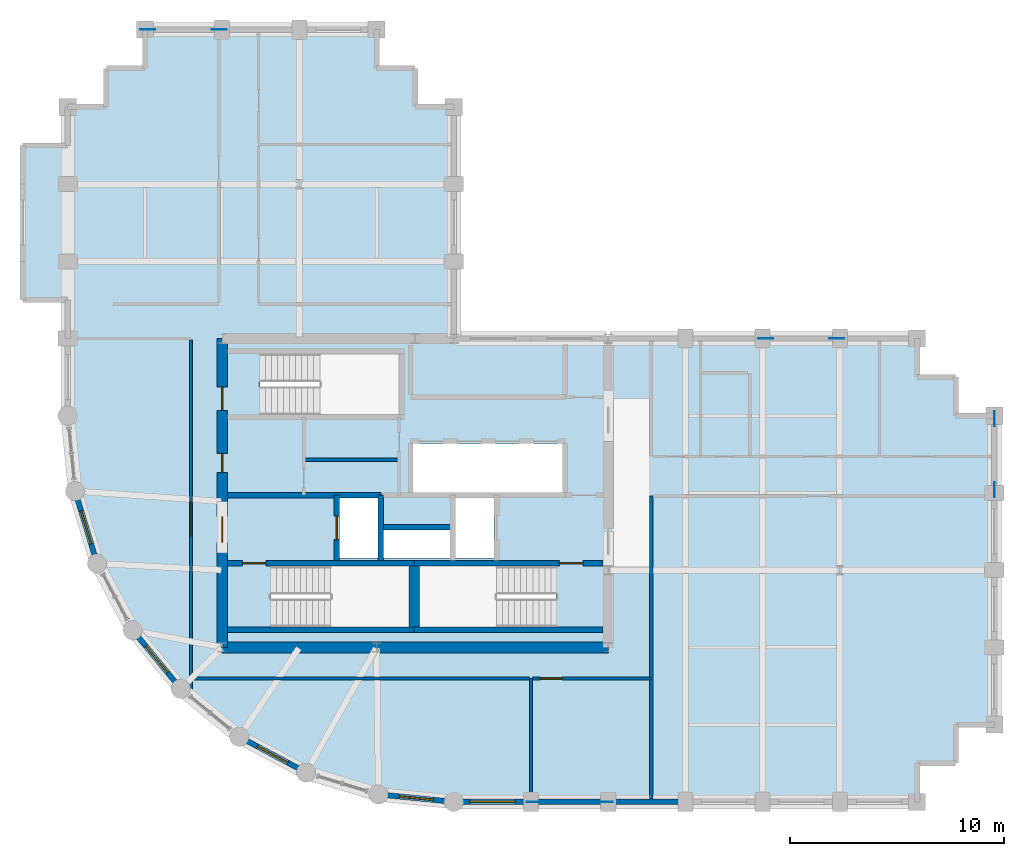
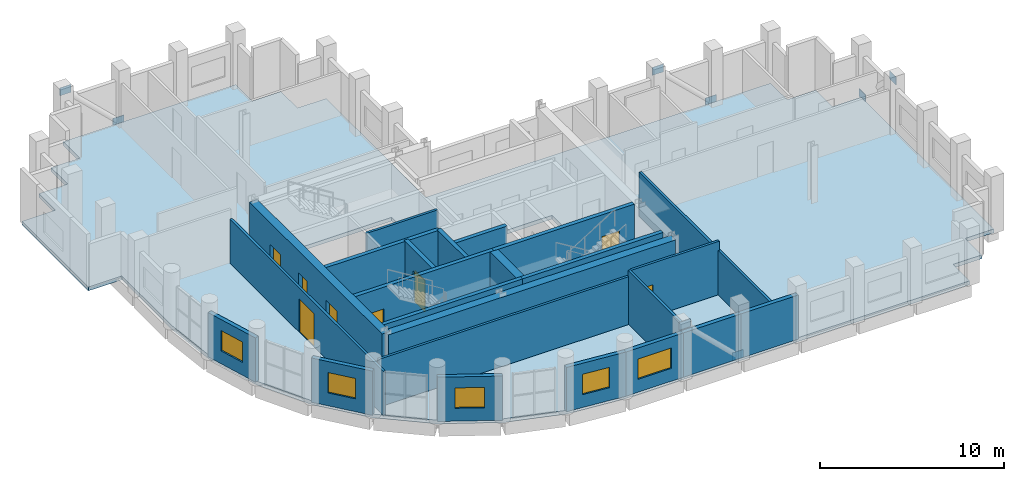
# One storey, part 8 of 12: 24 walls, 8 doors, 8 plates, 5 windows, 1 slab, 13 openings.
"""IFC4 building model written with IfcOpenShell, lengths in metres."""

from ifc_helpers import new_model, si_unit, direction, frame, frame_2d, origin, origin_2d, place, context, subcontext, project, spatial, polyline, rectangle, outline, extrude, material, layer, layer_set, type_object, element, fill, save


model = new_model("IFC4")

# Units and contexts
model_context = context("Model", 3, precision=1e-05, world=origin(), true_north=direction((0.0, 1.0)))
body_context = subcontext(model_context, "Body", "Model", "MODEL_VIEW")
ifc_project = project(units=[si_unit("LENGTHUNIT", "METRE"), si_unit("AREAUNIT", "SQUARE_METRE"), si_unit("VOLUMEUNIT", "CUBIC_METRE"), si_unit("PLANEANGLEUNIT", "RADIAN"), si_unit("MASSUNIT", "GRAM", prefix="KILO")], contexts=[model_context])

# Site, building, storey
site_placement = place(None, origin())
site = spatial("IfcSite", under=ifc_project, at=site_placement, CompositionType="ELEMENT")
building_placement = place(site_placement, origin())
building = spatial("IfcBuilding", under=site, at=building_placement, Name="Solnavia Interchange Tower", CompositionType="ELEMENT")
storey_placement = place(building_placement, frame((0.0, 0.0, 193.800048828125)))
storey = spatial("IfcBuildingStorey", under=building, at=storey_placement, Name="L48", CompositionType="ELEMENT", Elevation=193.800048828125)

# Plates
ifc_material_1 = material(Name="Steel S460", Category="steel")
ifc_layer_1 = layer(ifc_material_1, 0.030029296875)
ifc_layer_set_1 = layer_set([ifc_layer_1], Name="Steel S460")
plate_type = type_object("IfcPlateType", Name="Plate-Gusset-700x520x30", PredefinedType="USERDEFINED", material=ifc_layer_set_1)
for number, where, z_axis, x_axis, name in (
    (1, (32.260009765625, 3.60009765625, -0.080078125), (0.0, 0.0, 1.0), (-1.0, 0.0, 0.0), "PLT-L48-GP01 Perimeter brace gusset plate"),
    (2, (28.93994140625, 3.60009765625, 3.10986328125), (0.0, 0.0, 1.0), (-1.0, 0.0, 0.0), "PLT-L48-GP02 Perimeter brace gusset plate"),
    (3, (50.39990234375, 21.4599609375, -0.080078125), (0.0, 0.0, 1.0), (0.0, -1.0, 0.0), "PLT-L48-GP03 Perimeter brace gusset plate"),
    (4, (50.39990234375, 18.139892578125, 3.10986328125), (0.0, 0.0, 1.0), (0.0, -1.0, 0.0), "PLT-L48-GP04 Perimeter brace gusset plate"),
    (5, (14.260009765625, 39.60009765625, -0.080078125), (0.0, 0.0, 1.0), (-1.0, 0.0, 0.0), "PLT-L48-GP05 Perimeter brace gusset plate"),
    (6, (10.93994140625, 39.60009765625, 3.10986328125), (0.0, 0.0, 1.0), (-1.0, 0.0, 0.0), "PLT-L48-GP06 Perimeter brace gusset plate"),
    (7, (43.06005859375, 25.199951171875, -0.080078125), (0.0, 0.0, 1.0), (-1.0, 0.0, 0.0), "PLT-L48-GP07 Perimeter brace gusset plate"),
    (8, (39.739990234375, 25.199951171875, 3.10986328125), (0.0, 0.0, 1.0), (-1.0, 0.0, 0.0), "PLT-L48-GP08 Perimeter brace gusset plate"),
):
    element("IfcPlate", number, at=place(storey_placement, frame(where, z_axis=z_axis, x_axis=x_axis)), inside=storey, type_object=plate_type, Name=name, ObjectType="GUSSET PLATE", PredefinedType="USERDEFINED", context=body_context, shape_type="SweptSolid", body=[
        extrude(rectangle(XDim=0.699951171875, YDim=0.030029296875, at=origin_2d()), origin(), (0.0, 0.0, 1.0), 0.52001953125),
    ])

# Slab
ifc_material_2 = material(Name="Concrete C40/50", Category="concrete")
ifc_layer_2 = layer(ifc_material_2, 0.25)
ifc_layer_set_2 = layer_set([ifc_layer_2], Name="Concrete C40/50")
slab_type = type_object("IfcSlabType", Name="Slab-Tower-250", PredefinedType="FLOOR", material=ifc_layer_set_2)
slab_placement = place(storey_placement, frame((0.0, 0.0, -0.25)))
element("IfcSlab", 9, at=slab_placement, inside=storey, type_object=slab_type, Name="SLB-L48-01 Structural floor slab", PredefinedType="FLOOR", context=body_context, shape_type="SweptSolid", body=[
    extrude(outline(polyline([(25.199951171875, 3.60009765625), (46.800048828125, 3.60009765625), (46.800048828125, 5.39990234375), (48.60009765625, 5.39990234375), (48.60009765625, 7.199951171875), (50.39990234375, 7.199951171875), (50.39990234375, 21.60009765625), (48.60009765625, 21.60009765625), (48.60009765625, 23.39990234375), (46.800048828125, 23.39990234375), (46.800048828125, 25.199951171875), (25.199951171875, 25.199951171875), (25.199951171875, 36.0), (23.39990234375, 36.0), (23.39990234375, 37.800048828125), (21.60009765625, 37.800048828125), (21.60009765625, 39.60009765625), (10.800048828125, 39.60009765625), (10.800048828125, 37.800048828125), (9.0, 37.800048828125), (9.0, 36.0), (7.199951171875, 36.0), (7.199951171875, 34.199951171875), (5.10009765625, 34.199951171875), (5.10009765625, 27.0), (7.199951171875, 27.0), (7.199951171875, 21.60009765625), (7.5458984375, 18.087890625), (8.570068359375, 14.7119140625), (10.23388671875, 11.60009765625), (12.471923828125, 8.8720703125), (15.199951171875, 6.634033203125), (18.31201171875, 4.969970703125), (21.68798828125, 3.946044921875), (25.199951171875, 3.60009765625)]), holes=[polyline([(16.675048828125, 11.75), (23.10009765625, 11.75), (23.10009765625, 14.590087890625), (16.675048828125, 14.590087890625), (16.675048828125, 11.75)]), polyline([(23.60009765625, 11.75), (29.97509765625, 11.75), (29.97509765625, 14.590087890625), (23.60009765625, 14.590087890625), (23.60009765625, 11.75)]), polyline([(16.175048828125, 21.64990234375), (22.64990234375, 21.64990234375), (22.64990234375, 24.489990234375), (16.175048828125, 24.489990234375), (16.175048828125, 21.64990234375)]), polyline([(19.8798828125, 14.9599609375), (21.679931640625, 14.9599609375), (21.679931640625, 17.780029296875), (19.8798828125, 17.780029296875), (19.8798828125, 14.9599609375)]), polyline([(25.280029296875, 14.9599609375), (27.080078125, 14.9599609375), (27.080078125, 17.780029296875), (25.280029296875, 17.780029296875), (25.280029296875, 14.9599609375)]), polyline([(21.919921875, 14.9599609375), (25.02001953125, 14.9599609375), (25.02001953125, 16.280029296875), (21.919921875, 16.280029296875), (21.919921875, 14.9599609375)]), polyline([(23.300048828125, 18.02001953125), (30.280029296875, 18.02001953125), (30.280029296875, 20.300048828125), (23.300048828125, 20.300048828125), (23.300048828125, 18.02001953125)])]), origin(), (0.0, 0.0, 1.0), 0.25),
])

# Wall, opening, window
ifc_layer_3 = layer(ifc_material_2, 0.25)
ifc_layer_set_3 = layer_set([ifc_layer_3], Name="Concrete C40/50")
wall_type_1 = type_object("IfcWallType", Name="Wall-ExtSpandrel-250", PredefinedType="STANDARD", material=ifc_layer_set_3)
wall_1_placement = place(storey_placement, frame((28.800048828125, 3.60009765625, 0.0), z_axis=(0.0, 0.0, 1.0), x_axis=(-1.0, 0.0, 0.0)))
wall_1 = element("IfcWall", 10, at=wall_1_placement, inside=storey, type_object=wall_type_1, Name="EXW-L48-01 Exterior precast spandrel wall", PredefinedType="STANDARD", context=body_context, shape_type="SweptSolid", body=[
    extrude(rectangle(XDim=3.60009765625, YDim=0.25, at=frame_2d((1.800048828125, 0.0))), origin(), (0.0, 0.0, 1.0), 2.929931640625),
])
opening_1_placement = place(wall_1_placement, frame((0.75, 0.0, 0.85009765625)))
opening_1 = element("IfcOpeningElement", 11, at=opening_1_placement, cuts=wall_1, Name="Opening WIN-01", PredefinedType="OPENING", context=body_context, shape_type="SweptSolid", body=[
    extrude(rectangle(XDim=2.10009765625, YDim=1.35009765625, at=frame_2d((1.050048828125, 0.675048828125))), frame((0.0, 0.135009765625, 0.0), z_axis=(0.0, -1.0, 0.0), x_axis=(1.0, 0.0, 0.0)), (0.0, 0.0, 1.0), 0.27001953125),
])
ifc_material_3 = material(Name="Thermal-Break Aluminium & Low-E Glass", Category="aluminium")
window_type_1 = type_object("IfcWindowType", Name="Window-Ribbon-2100x1350", PartitioningType="SINGLE_PANEL", PredefinedType="WINDOW", material=ifc_material_3)
window_1_placement = place(opening_1_placement, origin())
window_1 = element("IfcWindow", 12, at=window_1_placement, inside=storey, type_object=window_type_1, Name="WIN-L48-01 Facade ribbon window", OverallHeight=1.35009765625, OverallWidth=2.10009765625, PartitioningType="SINGLE_PANEL", PredefinedType="WINDOW", context=body_context, shape_type="SweptSolid", body=[
    extrude(rectangle(XDim=2.10009765625, YDim=1.35009765625, at=frame_2d((1.050048828125, 0.675048828125))), frame((0.0, 0.030029296875, 0.0), z_axis=(0.0, -1.0, 0.0), x_axis=(1.0, 0.0, 0.0)), (0.0, 0.0, 1.0), 0.06005859375),
])
fill(opening_1, window_1)

# Walls
wall_2_placement = place(storey_placement, frame((32.39990234375, 3.60009765625, 0.0), z_axis=(0.0, 0.0, 1.0), x_axis=(-1.0, 0.0, 0.0)))
element("IfcWall", 13, at=wall_2_placement, inside=storey, type_object=wall_type_1, Name="EXW-L48-02 Exterior precast spandrel wall", PredefinedType="STANDARD", context=body_context, shape_type="SweptSolid", body=[
    extrude(rectangle(XDim=3.599853515625, YDim=0.25, at=frame_2d((1.7998046875, 0.0))), origin(), (0.0, 0.0, 1.0), 2.929931640625),
])
wall_3_placement = place(storey_placement, frame((36.0, 3.60009765625, 0.0), z_axis=(0.0, 0.0, 1.0), x_axis=(-1.0, 0.0, 0.0)))
element("IfcWall", 14, at=wall_3_placement, inside=storey, type_object=wall_type_1, Name="EXW-L48-03 Exterior precast spandrel wall", PredefinedType="STANDARD", context=body_context, shape_type="SweptSolid", body=[
    extrude(rectangle(XDim=3.60009765625, YDim=0.25, at=frame_2d((1.800048828125, 0.0))), origin(), (0.0, 0.0, 1.0), 2.929931640625),
])

# Wall, opening, window
wall_4_placement = place(storey_placement, frame((8.570068359375, 14.7119140625, 0.0), z_axis=(0.0, 0.0, 1.0), x_axis=(-0.290305086481, 0.956934144423, 0.0)))
wall_4 = element("IfcWall", 15, at=wall_4_placement, inside=storey, type_object=wall_type_1, Name="EXW-L48-48 Exterior precast spandrel wall", PredefinedType="STANDARD", context=body_context, shape_type="SweptSolid", body=[
    extrude(rectangle(XDim=3.52783203125, YDim=0.25, at=frame_2d((1.763916015625, 0.0))), origin(), (0.0, 0.0, 1.0), 2.929931640625),
])
opening_2_placement = place(wall_4_placement, frame((0.964111328125, 0.0, 0.85009765625)))
opening_2 = element("IfcOpeningElement", 16, at=opening_2_placement, cuts=wall_4, Name="Opening WIN-04", PredefinedType="OPENING", context=body_context, shape_type="SweptSolid", body=[
    extrude(rectangle(XDim=1.60009765625, YDim=1.35009765625, at=frame_2d((0.800048828125, 0.675048828125))), frame((0.0, 0.135009765625, 0.0), z_axis=(0.0, -1.0, 0.0), x_axis=(1.0, 0.0, 0.0)), (0.0, 0.0, 1.0), 0.27001953125),
])
window_type_2 = type_object("IfcWindowType", Name="Window-Drum-1600x1350", PartitioningType="SINGLE_PANEL", PredefinedType="WINDOW", material=ifc_material_3)
window_2_placement = place(opening_2_placement, origin())
window_2 = element("IfcWindow", 17, at=window_2_placement, inside=storey, type_object=window_type_2, Name="WIN-L48-48 Facade ribbon window", OverallHeight=1.35009765625, OverallWidth=1.60009765625, PartitioningType="SINGLE_PANEL", PredefinedType="WINDOW", context=body_context, shape_type="SweptSolid", body=[
    extrude(rectangle(XDim=1.60009765625, YDim=1.35009765625, at=frame_2d((0.800048828125, 0.675048828125))), frame((0.0, 0.030029296875, 0.0), z_axis=(0.0, -1.0, 0.0), x_axis=(1.0, 0.0, 0.0)), (0.0, 0.0, 1.0), 0.06005859375),
])
fill(opening_2, window_2)

wall_5_placement = place(storey_placement, frame((12.471923828125, 8.8720703125, 0.0), z_axis=(0.0, 0.0, 1.0), x_axis=(-0.634258295121, 0.773121216285, 0.0)))
wall_5 = element("IfcWall", 18, at=wall_5_placement, inside=storey, type_object=wall_type_1, Name="EXW-L48-50 Exterior precast spandrel wall", PredefinedType="STANDARD", context=body_context, shape_type="SweptSolid", body=[
    extrude(rectangle(XDim=3.528564453125, YDim=0.25, at=frame_2d((1.76416015625, 0.0))), origin(), (0.0, 0.0, 1.0), 2.929931640625),
])
opening_3_placement = place(wall_5_placement, frame((0.964111328125, 0.0, 0.85009765625)))
opening_3 = element("IfcOpeningElement", 19, at=opening_3_placement, cuts=wall_5, Name="Opening WIN-04", PredefinedType="OPENING", context=body_context, shape_type="SweptSolid", body=[
    extrude(rectangle(XDim=1.60009765625, YDim=1.35009765625, at=frame_2d((0.800048828125, 0.675048828125))), frame((0.0, 0.135009765625, 0.0), z_axis=(0.0, -1.0, 0.0), x_axis=(1.0, 0.0, 0.0)), (0.0, 0.0, 1.0), 0.27001953125),
])
window_3_placement = place(opening_3_placement, origin())
window_3 = element("IfcWindow", 20, at=window_3_placement, inside=storey, type_object=window_type_2, Name="WIN-L48-50 Facade ribbon window", OverallHeight=1.35009765625, OverallWidth=1.60009765625, PartitioningType="SINGLE_PANEL", PredefinedType="WINDOW", context=body_context, shape_type="SweptSolid", body=[
    extrude(rectangle(XDim=1.60009765625, YDim=1.35009765625, at=frame_2d((0.800048828125, 0.675048828125))), frame((0.0, 0.030029296875, 0.0), z_axis=(0.0, -1.0, 0.0), x_axis=(1.0, 0.0, 0.0)), (0.0, 0.0, 1.0), 0.06005859375),
])
fill(opening_3, window_3)

wall_6_placement = place(storey_placement, frame((18.31201171875, 4.969970703125, 0.0), z_axis=(0.0, 0.0, 1.0), x_axis=(-0.881846862014, 0.471535907389, 0.0)))
wall_6 = element("IfcWall", 21, at=wall_6_placement, inside=storey, type_object=wall_type_1, Name="EXW-L48-52 Exterior precast spandrel wall", PredefinedType="STANDARD", context=body_context, shape_type="SweptSolid", body=[
    extrude(rectangle(XDim=3.529052734375, YDim=0.25, at=frame_2d((1.7646484375, 0.0))), origin(), (0.0, 0.0, 1.0), 2.929931640625),
])
opening_4_placement = place(wall_6_placement, frame((0.964111328125, 0.0, 0.85009765625)))
opening_4 = element("IfcOpeningElement", 22, at=opening_4_placement, cuts=wall_6, Name="Opening WIN-04", PredefinedType="OPENING", context=body_context, shape_type="SweptSolid", body=[
    extrude(rectangle(XDim=1.60009765625, YDim=1.35009765625, at=frame_2d((0.800048828125, 0.675048828125))), frame((0.0, 0.135009765625, 0.0), z_axis=(0.0, -1.0, 0.0), x_axis=(1.0, 0.0, 0.0)), (0.0, 0.0, 1.0), 0.27001953125),
])
window_4_placement = place(opening_4_placement, origin())
window_4 = element("IfcWindow", 23, at=window_4_placement, inside=storey, type_object=window_type_2, Name="WIN-L48-52 Facade ribbon window", OverallHeight=1.35009765625, OverallWidth=1.60009765625, PartitioningType="SINGLE_PANEL", PredefinedType="WINDOW", context=body_context, shape_type="SweptSolid", body=[
    extrude(rectangle(XDim=1.60009765625, YDim=1.35009765625, at=frame_2d((0.800048828125, 0.675048828125))), frame((0.0, 0.030029296875, 0.0), z_axis=(0.0, -1.0, 0.0), x_axis=(1.0, 0.0, 0.0)), (0.0, 0.0, 1.0), 0.06005859375),
])
fill(opening_4, window_4)

wall_7_placement = place(storey_placement, frame((25.199951171875, 3.60009765625, 0.0), z_axis=(0.0, 0.0, 1.0), x_axis=(-0.995183369056, 0.098030923459, 0.0)))
wall_7 = element("IfcWall", 24, at=wall_7_placement, inside=storey, type_object=wall_type_1, Name="EXW-L48-54 Exterior precast spandrel wall", PredefinedType="STANDARD", context=body_context, shape_type="SweptSolid", body=[
    extrude(rectangle(XDim=3.529052734375, YDim=0.25, at=frame_2d((1.7646484375, 0.0))), origin(), (0.0, 0.0, 1.0), 2.929931640625),
])
opening_5_placement = place(wall_7_placement, frame((0.965087890625, 0.0, 0.85009765625)))
opening_5 = element("IfcOpeningElement", 25, at=opening_5_placement, cuts=wall_7, Name="Opening WIN-04", PredefinedType="OPENING", context=body_context, shape_type="SweptSolid", body=[
    extrude(rectangle(XDim=1.60009765625, YDim=1.35009765625, at=frame_2d((0.800048828125, 0.675048828125))), frame((0.0, 0.135009765625, 0.0), z_axis=(0.0, -1.0, 0.0), x_axis=(1.0, 0.0, 0.0)), (0.0, 0.0, 1.0), 0.27001953125),
])
window_5_placement = place(opening_5_placement, origin())
window_5 = element("IfcWindow", 26, at=window_5_placement, inside=storey, type_object=window_type_2, Name="WIN-L48-54 Facade ribbon window", OverallHeight=1.35009765625, OverallWidth=1.60009765625, PartitioningType="SINGLE_PANEL", PredefinedType="WINDOW", context=body_context, shape_type="SweptSolid", body=[
    extrude(rectangle(XDim=1.60009765625, YDim=1.35009765625, at=frame_2d((0.800048828125, 0.675048828125))), frame((0.0, 0.030029296875, 0.0), z_axis=(0.0, -1.0, 0.0), x_axis=(1.0, 0.0, 0.0)), (0.0, 0.0, 1.0), 0.06005859375),
])
fill(opening_5, window_5)

# Walls
ifc_material_4 = material(Name="Gypsum Plasterboard & Steel Stud", Category="steel")
ifc_layer_4 = layer(ifc_material_4, 0.14990234375)
ifc_layer_set_4 = layer_set([ifc_layer_4], Name="Gypsum Plasterboard & Steel Stud")
wall_type_2 = type_object("IfcWallType", Name="Wall-Partition-150", PredefinedType="PARTITIONING", material=ifc_layer_set_4)
wall_8_placement = place(storey_placement, frame((18.199951171875, 19.550048828125, 0.0), z_axis=(0.0, 0.0, 1.0), x_axis=(1.0, 0.0, 0.0)))
element("IfcWall", 27, at=wall_8_placement, inside=storey, type_object=wall_type_2, Name="CSW-L48-H1 Core shaft wall", PredefinedType="PARTITIONING", context=body_context, shape_type="SweptSolid", body=[
    extrude(rectangle(XDim=4.449951171875, YDim=0.14990234375, at=frame_2d((2.22509765625, 0.0))), origin(), (0.0, 0.0, 1.0), 3.534912109375),
])
wall_9_placement = place(storey_placement, frame((28.800048828125, 9.35009765625, 0.0), z_axis=(0.0, 0.0, 1.0), x_axis=(0.0, -1.0, 0.0)))
element("IfcWall", 28, at=wall_9_placement, inside=storey, type_object=wall_type_2, Name="PTW-L48-08 Interior partition wall", PredefinedType="PARTITIONING", context=body_context, shape_type="SweptSolid", body=[
    extrude(rectangle(XDim=5.62109375, YDim=0.14990234375, at=frame_2d((2.810546875, 0.0))), origin(), (0.0, 0.0, 1.0), 3.534912109375),
])

# Wall, opening, door
wall_10_placement = place(storey_placement, frame((12.949951171875, 8.47998046875, 0.0), z_axis=(0.0, 0.0, 1.0), x_axis=(0.0, 1.0, 0.0)))
wall_10 = element("IfcWall", 29, at=wall_10_placement, inside=storey, type_object=wall_type_2, Name="PTW-L48-09 Interior partition wall", PredefinedType="PARTITIONING", context=body_context, shape_type="SweptSolid", body=[
    extrude(rectangle(XDim=16.64111328125, YDim=0.14990234375, at=frame_2d((8.320556640625, 0.0))), origin(), (0.0, 0.0, 1.0), 2.929931640625),
])
opening_6_placement = place(wall_10_placement, frame((7.52001953125, 0.0, 0.0)))
opening_6 = element("IfcOpeningElement", 30, at=opening_6_placement, cuts=wall_10, Name="Opening DR-08", PredefinedType="OPENING", context=body_context, shape_type="SweptSolid", body=[
    extrude(rectangle(XDim=1.60009765625, YDim=2.199951171875, at=frame_2d((0.800048828125, 1.10009765625))), frame((0.0, 0.0849609375, 0.0), z_axis=(0.0, -1.0, 0.0), x_axis=(1.0, 0.0, 0.0)), (0.0, 0.0, 1.0), 0.169921875),
])
ifc_material_5 = material(Name="Thermally Broken Aluminium & Toughened Glass", Category="aluminium")
door_type_1 = type_object("IfcDoorType", Name="Door-RetailDouble-1600x2200", OperationType="DOUBLE_DOOR_SINGLE_SWING", PredefinedType="DOOR", material=ifc_material_5)
door_1_placement = place(opening_6_placement, origin())
door_1 = element("IfcDoor", 31, at=door_1_placement, inside=storey, type_object=door_type_1, Name="DR-L48-03 Interior room door", OperationType="DOUBLE_DOOR_SINGLE_SWING", OverallHeight=2.199951171875, OverallWidth=1.60009765625, PredefinedType="DOOR", context=body_context, shape_type="SweptSolid", body=[
    extrude(rectangle(XDim=1.60009765625, YDim=2.199951171875, at=frame_2d((0.800048828125, 1.10009765625))), frame((0.0, 0.02490234375, 0.0), z_axis=(0.0, -1.0, 0.0), x_axis=(1.0, 0.0, 0.0)), (0.0, 0.0, 1.0), 0.050048828125),
])
fill(opening_6, door_1)

# Wall
wall_11_placement = place(storey_placement, frame((13.080078125, 9.35009765625, 0.0), z_axis=(0.0, 0.0, 1.0), x_axis=(1.0, 0.0, 0.0)))
element("IfcWall", 32, at=wall_11_placement, inside=storey, type_object=wall_type_2, Name="PTW-L48-10 Interior partition wall", PredefinedType="PARTITIONING", context=body_context, shape_type="SweptSolid", body=[
    extrude(rectangle(XDim=15.640869140625, YDim=0.14990234375, at=frame_2d((7.8203125, 0.0))), origin(), (0.0, 0.0, 1.0), 3.169921875),
])

# Wall, opening, door
wall_12_placement = place(storey_placement, frame((28.87890625, 9.35009765625, 0.0), z_axis=(0.0, 0.0, 1.0), x_axis=(1.0, 0.0, 0.0)))
wall_12 = element("IfcWall", 33, at=wall_12_placement, inside=storey, type_object=wall_type_2, Name="PTW-L48-11 Interior partition wall", PredefinedType="PARTITIONING", context=body_context, shape_type="SweptSolid", body=[
    extrude(rectangle(XDim=5.52099609375, YDim=0.14990234375, at=frame_2d((2.760498046875, 0.0))), origin(), (0.0, 0.0, 1.0), 3.534912109375),
])
opening_7_placement = place(wall_12_placement, frame((0.360107421875, 0.0, 0.0)))
opening_7 = element("IfcOpeningElement", 34, at=opening_7_placement, cuts=wall_12, Name="Opening DR-07", PredefinedType="OPENING", context=body_context, shape_type="SweptSolid", body=[
    extrude(rectangle(XDim=1.0, YDim=2.10009765625, at=frame_2d((0.5, 1.050048828125))), frame((0.0, 0.0849609375, 0.0), z_axis=(0.0, -1.0, 0.0), x_axis=(1.0, 0.0, 0.0)), (0.0, 0.0, 1.0), 0.169921875),
])
ifc_material_6 = material(Name="Timber & Acoustic Glazed Office Door", Category="wood")
door_type_2 = type_object("IfcDoorType", Name="Door-Office-1000x2100", OperationType="SINGLE_SWING_RIGHT", PredefinedType="DOOR", material=ifc_material_6)
door_2_placement = place(opening_7_placement, origin())
door_2 = element("IfcDoor", 35, at=door_2_placement, inside=storey, type_object=door_type_2, Name="DR-L48-04 Interior room door", OperationType="SINGLE_SWING_LEFT", OverallHeight=2.10009765625, OverallWidth=1.0, PredefinedType="DOOR", context=body_context, shape_type="SweptSolid", body=[
    extrude(rectangle(XDim=1.0, YDim=2.10009765625, at=frame_2d((0.5, 1.050048828125))), frame((0.0, 0.02490234375, 0.0), z_axis=(0.0, -1.0, 0.0), x_axis=(1.0, 0.0, 0.0)), (0.0, 0.0, 1.0), 0.050048828125),
])
fill(opening_7, door_2)

# Walls
wall_13_placement = place(storey_placement, frame((34.39990234375, 3.72900390625, 0.0), z_axis=(0.0, 0.0, 1.0), x_axis=(0.0, 1.0, 0.0)))
element("IfcWall", 36, at=wall_13_placement, inside=storey, type_object=wall_type_2, Name="PTW-L48-12 Interior partition wall", PredefinedType="PARTITIONING", context=body_context, shape_type="SweptSolid", body=[
    extrude(rectangle(XDim=14.12109375, YDim=0.14990234375, at=frame_2d((7.060546875, 0.0))), origin(), (0.0, 0.0, 1.0), 2.929931640625),
])
ifc_layer_5 = layer(ifc_material_2, 0.25)
ifc_layer_set_5 = layer_set([ifc_layer_5], Name="Concrete C40/50")
wall_type_3 = type_object("IfcWallType", Name="Wall-ShaftCore-250", PredefinedType="SHEAR", material=ifc_layer_set_5)
wall_14_placement = place(storey_placement, frame((14.64990234375, 11.625, 0.0), z_axis=(0.0, 0.0, 1.0), x_axis=(1.0, 0.0, 0.0)))
element("IfcWall", 37, at=wall_14_placement, inside=storey, type_object=wall_type_3, Name="SHW-L48-ST1S Core shear wall", PredefinedType="SHEAR", context=body_context, shape_type="SweptSolid", body=[
    extrude(rectangle(XDim=8.7001953125, YDim=0.25, at=frame_2d((4.35009765625, 0.0))), origin(), (0.0, 0.0, 1.0), 3.550048828125),
])

# Wall, opening, door
wall_15_placement = place(storey_placement, frame((14.64990234375, 14.715087890625, 0.0), z_axis=(0.0, 0.0, 1.0), x_axis=(1.0, 0.0, 0.0)))
wall_15 = element("IfcWall", 38, at=wall_15_placement, inside=storey, type_object=wall_type_3, Name="SHW-L48-ST1N Core shear wall", PredefinedType="SHEAR", context=body_context, shape_type="SweptSolid", body=[
    extrude(rectangle(XDim=8.7001953125, YDim=0.25, at=frame_2d((4.35009765625, 0.0))), origin(), (0.0, 0.0, 1.0), 3.550048828125),
])
opening_8_placement = place(wall_15_placement, frame((0.705078125, 0.0, 0.0)))
opening_8 = element("IfcOpeningElement", 39, at=opening_8_placement, cuts=wall_15, Name="Opening DR-01", PredefinedType="OPENING", context=body_context, shape_type="SweptSolid", body=[
    extrude(rectangle(XDim=1.10009765625, YDim=2.10009765625, at=frame_2d((0.550048828125, 1.050048828125))), frame((0.0, 0.135009765625, 0.0), z_axis=(0.0, -1.0, 0.0), x_axis=(1.0, 0.0, 0.0)), (0.0, 0.0, 1.0), 0.27001953125),
])
ifc_material_7 = material(Name="Steel Fire-Rated Leaf & Frame", Category="steel")
door_type_3 = type_object("IfcDoorType", Name="Door-StairFire-1100x2100", OperationType="SINGLE_SWING_LEFT", PredefinedType="DOOR", material=ifc_material_7)
door_3_placement = place(opening_8_placement, origin())
door_3 = element("IfcDoor", 40, at=door_3_placement, inside=storey, type_object=door_type_3, Name="DR-L48-ST1 Core fire door", OperationType="SINGLE_SWING_LEFT", OverallHeight=2.10009765625, OverallWidth=1.10009765625, PredefinedType="DOOR", context=body_context, shape_type="SweptSolid", body=[
    extrude(rectangle(XDim=1.10009765625, YDim=2.10009765625, at=frame_2d((0.550048828125, 1.050048828125))), frame((0.0, 0.02490234375, 0.0), z_axis=(0.0, -1.0, 0.0), x_axis=(1.0, 0.0, 0.0)), (0.0, 0.0, 1.0), 0.050048828125),
])
fill(opening_8, door_3)

# Wall
wall_16_placement = place(storey_placement, frame((23.35009765625, 11.625, 0.0), z_axis=(0.0, 0.0, 1.0), x_axis=(1.0, 0.0, 0.0)))
element("IfcWall", 41, at=wall_16_placement, inside=storey, type_object=wall_type_3, Name="SHW-L48-ST2S Core shear wall", PredefinedType="SHEAR", context=body_context, shape_type="SweptSolid", body=[
    extrude(rectangle(XDim=8.7998046875, YDim=0.25, at=frame_2d((4.39990234375, 0.0))), origin(), (0.0, 0.0, 1.0), 3.550048828125),
])

# Wall, opening, door
wall_17_placement = place(storey_placement, frame((23.35009765625, 14.715087890625, 0.0), z_axis=(0.0, 0.0, 1.0), x_axis=(1.0, 0.0, 0.0)))
wall_17 = element("IfcWall", 42, at=wall_17_placement, inside=storey, type_object=wall_type_3, Name="SHW-L48-ST2N Core shear wall", PredefinedType="SHEAR", context=body_context, shape_type="SweptSolid", body=[
    extrude(rectangle(XDim=8.7998046875, YDim=0.25, at=frame_2d((4.39990234375, 0.0))), origin(), (0.0, 0.0, 1.0), 3.550048828125),
])
opening_9_placement = place(wall_17_placement, frame((6.77490234375, 0.0, 0.0)))
opening_9 = element("IfcOpeningElement", 43, at=opening_9_placement, cuts=wall_17, Name="Opening DR-01", PredefinedType="OPENING", context=body_context, shape_type="SweptSolid", body=[
    extrude(rectangle(XDim=1.10009765625, YDim=2.10009765625, at=frame_2d((0.550048828125, 1.050048828125))), frame((0.0, 0.135009765625, 0.0), z_axis=(0.0, -1.0, 0.0), x_axis=(1.0, 0.0, 0.0)), (0.0, 0.0, 1.0), 0.27001953125),
])
door_4_placement = place(opening_9_placement, origin())
door_4 = element("IfcDoor", 44, at=door_4_placement, inside=storey, type_object=door_type_3, Name="DR-L48-ST2 Core fire door", OperationType="SINGLE_SWING_LEFT", OverallHeight=2.10009765625, OverallWidth=1.10009765625, PredefinedType="DOOR", context=body_context, shape_type="SweptSolid", body=[
    extrude(rectangle(XDim=1.10009765625, YDim=2.10009765625, at=frame_2d((0.550048828125, 1.050048828125))), frame((0.0, 0.02490234375, 0.0), z_axis=(0.0, -1.0, 0.0), x_axis=(1.0, 0.0, 0.0)), (0.0, 0.0, 1.0), 0.050048828125),
])
fill(opening_9, door_4)

# Wall
ifc_layer_6 = layer(ifc_material_2, 0.25)
ifc_layer_set_6 = layer_set([ifc_layer_6], Name="Concrete C40/50")
wall_type_4 = type_object("IfcWallType", Name="Wall-ShaftPart-250", PredefinedType="PARTITIONING", material=ifc_layer_set_6)
wall_18_placement = place(storey_placement, frame((14.64990234375, 17.89990234375, 0.0), z_axis=(0.0, 0.0, 1.0), x_axis=(1.0, 0.0, 0.0)))
element("IfcWall", 45, at=wall_18_placement, inside=storey, type_object=wall_type_4, Name="SHW-L48-FFLW-N Core shaft wall", PredefinedType="PARTITIONING", context=body_context, shape_type="SweptSolid", body=[
    extrude(rectangle(XDim=7.150146484375, YDim=0.25, at=frame_2d((3.5751953125, 0.0))), origin(), (0.0, 0.0, 1.0), 3.534912109375),
])

# Wall, opening, door
wall_19_placement = place(storey_placement, frame((19.75, 14.840087890625, 0.0), z_axis=(0.0, 0.0, 1.0), x_axis=(0.0, 1.0, 0.0)))
wall_19 = element("IfcWall", 46, at=wall_19_placement, inside=storey, type_object=wall_type_4, Name="SHW-L48-FFL1-W Core shaft wall", PredefinedType="PARTITIONING", context=body_context, shape_type="SweptSolid", body=[
    extrude(rectangle(XDim=3.059814453125, YDim=0.25, at=frame_2d((1.52978515625, 0.0))), origin(), (0.0, 0.0, 1.0), 3.534912109375),
])
opening_10_placement = place(wall_19_placement, frame((0.97998046875, 0.0, 0.0)))
opening_10 = element("IfcOpeningElement", 47, at=opening_10_placement, cuts=wall_19, Name="Opening LD-01", PredefinedType="OPENING", context=body_context, shape_type="SweptSolid", body=[
    extrude(rectangle(XDim=1.10009765625, YDim=2.10009765625, at=frame_2d((0.550048828125, 1.050048828125))), frame((0.0, 0.135009765625, 0.0), z_axis=(0.0, -1.0, 0.0), x_axis=(1.0, 0.0, 0.0)), (0.0, 0.0, 1.0), 0.27001953125),
])
ifc_material_8 = material(Name="Brushed Stainless Steel Sliding Door", Category="steel")
door_type_4 = type_object("IfcDoorType", Name="Door-LiftLanding-1100x2100", OperationType="SLIDING_TO_LEFT", PredefinedType="DOOR", material=ifc_material_8)
door_5_placement = place(opening_10_placement, origin())
door_5 = element("IfcDoor", 48, at=door_5_placement, inside=storey, type_object=door_type_4, Name="LD-L48-FFL1 Lift landing sliding door", OperationType="SLIDING_TO_LEFT", OverallHeight=2.10009765625, OverallWidth=1.10009765625, PredefinedType="DOOR", context=body_context, shape_type="SweptSolid", body=[
    extrude(rectangle(XDim=1.10009765625, YDim=2.10009765625, at=frame_2d((0.550048828125, 1.050048828125))), frame((0.0, 0.02490234375, 0.0), z_axis=(0.0, -1.0, 0.0), x_axis=(1.0, 0.0, 0.0)), (0.0, 0.0, 1.0), 0.050048828125),
])
fill(opening_10, door_5)

# Walls
wall_20_placement = place(storey_placement, frame((21.800048828125, 14.840087890625, 0.0), z_axis=(0.0, 0.0, 1.0), x_axis=(0.0, 1.0, 0.0)))
element("IfcWall", 49, at=wall_20_placement, inside=storey, type_object=wall_type_4, Name="SHW-L48-FFL1-E Core shaft wall", PredefinedType="PARTITIONING", context=body_context, shape_type="SweptSolid", body=[
    extrude(rectangle(XDim=3.059814453125, YDim=0.25, at=frame_2d((1.52978515625, 0.0))), origin(), (0.0, 0.0, 1.0), 3.534912109375),
])
wall_21_placement = place(storey_placement, frame((21.800048828125, 16.39990234375, 0.0), z_axis=(0.0, 0.0, 1.0), x_axis=(1.0, 0.0, 0.0)))
element("IfcWall", 50, at=wall_21_placement, inside=storey, type_object=wall_type_4, Name="SHW-L48-MEP-N Core shaft wall", PredefinedType="PARTITIONING", context=body_context, shape_type="SweptSolid", body=[
    extrude(rectangle(XDim=3.349853515625, YDim=0.25, at=frame_2d((1.6748046875, 0.0))), origin(), (0.0, 0.0, 1.0), 3.534912109375),
])
ifc_material_9 = material(Name="Concrete C60/75", Category="concrete")
ifc_layer_7 = layer(ifc_material_9, 0.5)
ifc_layer_set_7 = layer_set([ifc_layer_7], Name="Concrete C60/75")
wall_type_5 = type_object("IfcWallType", Name="Wall-ShearCore-500", PredefinedType="SHEAR", material=ifc_layer_set_7)
wall_22_placement = place(storey_placement, frame((14.39990234375, 10.800048828125, 0.0), z_axis=(0.0, 0.0, 1.0), x_axis=(1.0, 0.0, 0.0)))
element("IfcWall", 51, at=wall_22_placement, inside=storey, type_object=wall_type_5, Name="CRW-L48-S Core shear wall", PredefinedType="SHEAR", context=body_context, shape_type="SweptSolid", body=[
    extrude(rectangle(XDim=18.0, YDim=0.5, at=frame_2d((9.0, 0.0))), origin(), (0.0, 0.0, 1.0), 3.550048828125),
])

# Wall, openings, doors
wall_23_placement = place(storey_placement, frame((14.39990234375, 10.800048828125, 0.0), z_axis=(0.0, 0.0, 1.0), x_axis=(0.0, 1.0, 0.0)))
wall_23 = element("IfcWall", 52, at=wall_23_placement, inside=storey, type_object=wall_type_5, Name="CRW-L48-W Core shear wall", PredefinedType="SHEAR", context=body_context, shape_type="SweptSolid", body=[
    extrude(rectangle(XDim=14.39990234375, YDim=0.5, at=frame_2d((7.199951171875, 0.0))), origin(), (0.0, 0.0, 1.0), 3.550048828125),
])
opening_11_placement = place(wall_23_placement, frame((11.050048828125, 0.0, 0.0)))
opening_11 = element("IfcOpeningElement", 53, at=opening_11_placement, cuts=wall_23, Name="Opening DR-01", PredefinedType="OPENING", context=body_context, shape_type="SweptSolid", body=[
    extrude(rectangle(XDim=1.10009765625, YDim=2.10009765625, at=frame_2d((0.550048828125, 1.050048828125))), frame((0.0, 0.260009765625, 0.0), z_axis=(0.0, -1.0, 0.0), x_axis=(1.0, 0.0, 0.0)), (0.0, 0.0, 1.0), 0.52001953125),
])
opening_12_placement = place(wall_23_placement, frame((4.89990234375, 0.0, 0.0)))
opening_12 = element("IfcOpeningElement", 54, at=opening_12_placement, cuts=wall_23, Name="Opening DR-02", PredefinedType="OPENING", context=body_context, shape_type="SweptSolid", body=[
    extrude(rectangle(XDim=1.199951171875, YDim=2.10009765625, at=frame_2d((0.60009765625, 1.050048828125))), frame((0.0, 0.260009765625, 0.0), z_axis=(0.0, -1.0, 0.0), x_axis=(1.0, 0.0, 0.0)), (0.0, 0.0, 1.0), 0.52001953125),
])
opening_13_placement = place(wall_23_placement, frame((8.14990234375, 0.0, 0.0)))
opening_13 = element("IfcOpeningElement", 55, at=opening_13_placement, cuts=wall_23, Name="Opening DR-09", PredefinedType="OPENING", context=body_context, shape_type="SweptSolid", body=[
    extrude(rectangle(XDim=0.89990234375, YDim=2.10009765625, at=frame_2d((0.449951171875, 1.050048828125))), frame((0.0, 0.260009765625, 0.0), z_axis=(0.0, -1.0, 0.0), x_axis=(1.0, 0.0, 0.0)), (0.0, 0.0, 1.0), 0.52001953125),
])
ifc_material_10 = material(Name="Engineered Oak Veneer Door", Category="wood")
door_type_5 = type_object("IfcDoorType", Name="Door-Internal-900x2100", OperationType="SINGLE_SWING_LEFT", PredefinedType="DOOR", material=ifc_material_10)
door_6_placement = place(opening_13_placement, origin())
door_6 = element("IfcDoor", 56, at=door_6_placement, inside=storey, type_object=door_type_5, Name="DR-L48-CS1 Core fire door", OperationType="SINGLE_SWING_RIGHT", OverallHeight=2.10009765625, OverallWidth=0.89990234375, PredefinedType="DOOR", context=body_context, shape_type="SweptSolid", body=[
    extrude(rectangle(XDim=0.89990234375, YDim=2.10009765625, at=frame_2d((0.449951171875, 1.050048828125))), frame((0.0, 0.02490234375, 0.0), z_axis=(0.0, -1.0, 0.0), x_axis=(1.0, 0.0, 0.0)), (0.0, 0.0, 1.0), 0.050048828125),
])
fill(opening_13, door_6)
ifc_material_11 = material(Name="Steel Fire-Rated Vision-Panel Door", Category="steel")
door_type_6 = type_object("IfcDoorType", Name="Door-LobbyFire-1200x2100", OperationType="SINGLE_SWING_RIGHT", PredefinedType="DOOR", material=ifc_material_11)
door_7_placement = place(opening_12_placement, origin())
door_7 = element("IfcDoor", 57, at=door_7_placement, inside=storey, type_object=door_type_6, Name="DR-L48-FFL1W Core fire door", OperationType="SINGLE_SWING_RIGHT", OverallHeight=2.10009765625, OverallWidth=1.199951171875, PredefinedType="DOOR", context=body_context, shape_type="SweptSolid", body=[
    extrude(rectangle(XDim=1.199951171875, YDim=2.10009765625, at=frame_2d((0.60009765625, 1.050048828125))), frame((0.0, 0.02490234375, 0.0), z_axis=(0.0, -1.0, 0.0), x_axis=(1.0, 0.0, 0.0)), (0.0, 0.0, 1.0), 0.050048828125),
])
fill(opening_12, door_7)
door_8_placement = place(opening_11_placement, origin())
door_8 = element("IfcDoor", 58, at=door_8_placement, inside=storey, type_object=door_type_3, Name="DR-L48-ST3 Core fire door", OperationType="SINGLE_SWING_RIGHT", OverallHeight=2.10009765625, OverallWidth=1.10009765625, PredefinedType="DOOR", context=body_context, shape_type="SweptSolid", body=[
    extrude(rectangle(XDim=1.10009765625, YDim=2.10009765625, at=frame_2d((0.550048828125, 1.050048828125))), frame((0.0, 0.02490234375, 0.0), z_axis=(0.0, -1.0, 0.0), x_axis=(1.0, 0.0, 0.0)), (0.0, 0.0, 1.0), 0.050048828125),
])
fill(opening_11, door_8)

# Wall
wall_24_placement = place(storey_placement, frame((23.35009765625, 11.75, 0.0), z_axis=(0.0, 0.0, 1.0), x_axis=(0.0, 1.0, 0.0)))
element("IfcWall", 59, at=wall_24_placement, inside=storey, type_object=wall_type_5, Name="SHW-L48-ST12M Core shear wall", PredefinedType="SHEAR", context=body_context, shape_type="SweptSolid", body=[
    extrude(rectangle(XDim=2.840087890625, YDim=0.5, at=frame_2d((1.419921875, 0.0))), origin(), (0.0, 0.0, 1.0), 3.550048828125),
])

save(model, "model.ifc")
